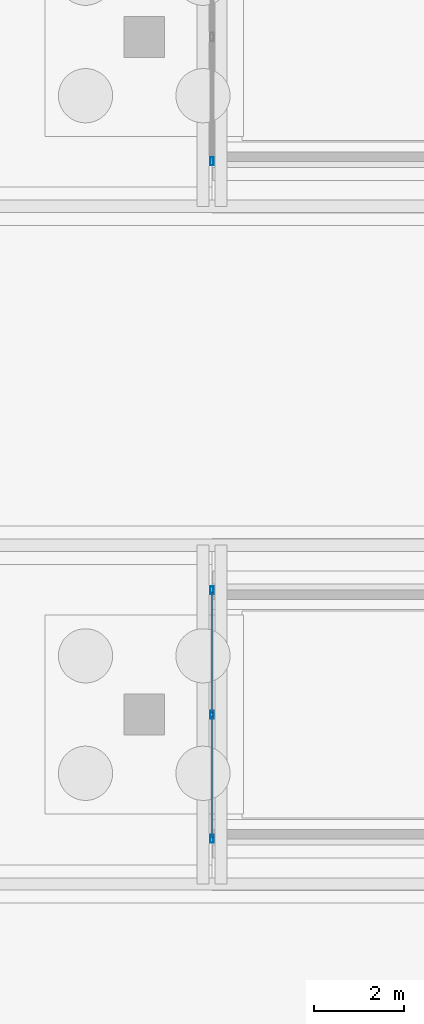
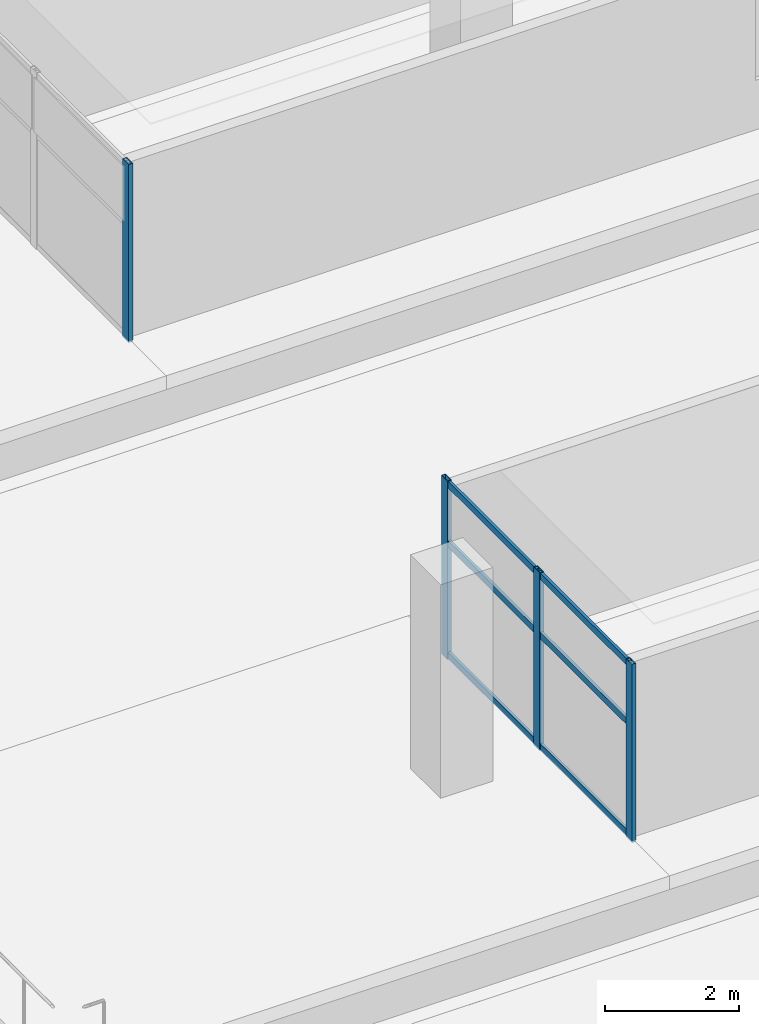
# One storey, part 71 of 160: 10 members, 2 elements without a shape of their own.
"""IFC4 building model written with IfcOpenShell, lengths in metres."""

from ifc_helpers import new_model, si_unit, direction, frame, origin, origin_2d, place, context, subcontext, project, spatial, hollow_rectangle, extrude, material, layer, layer_set, material_profile, profile_set, type_object, element, aggregate, save


model = new_model("IFC4")

# Units and contexts
model_context = context("Model", 3, precision=1e-05, world=origin(), true_north=direction((0.0, 1.0)))
body_context = subcontext(model_context, "Body", "Model", "MODEL_VIEW")
ifc_project = project(units=[si_unit("LENGTHUNIT", "METRE"), si_unit("AREAUNIT", "SQUARE_METRE"), si_unit("VOLUMEUNIT", "CUBIC_METRE"), si_unit("PLANEANGLEUNIT", "RADIAN"), si_unit("MASSUNIT", "GRAM", prefix="KILO")], contexts=[model_context])

# Site, building, storey
site_placement = place(None, origin())
site = spatial("IfcSite", under=ifc_project, at=site_placement, CompositionType="ELEMENT")
building_placement = place(site_placement, origin())
building = spatial("IfcBuilding", under=site, at=building_placement, Name="Marlcrest Central Station", CompositionType="ELEMENT")
storey_placement = place(building_placement, origin())
storey = spatial("IfcBuildingStorey", under=building, at=storey_placement, Name="L00", CompositionType="ELEMENT", Elevation=0.0)

# Curtain wall, members
ifc_material_1 = material(Name="Anodised aluminium and hurricane laminated glass", Category="aluminium")
ifc_layer = layer(ifc_material_1, 0.179931640625, Name="CW-S1")
ifc_layer_set = layer_set([ifc_layer], Name="Anodised aluminium and hurricane laminated glass")
curtain_wall_type = type_object("IfcCurtainWallType", Name="CW-S1", PredefinedType="USERDEFINED", material=ifc_layer_set)
curtain_wall_1_placement = place(storey_placement, origin())
curtain_wall_1 = element("IfcCurtainWall", 1, at=curtain_wall_1_placement, inside=storey, type_object=curtain_wall_type, Name="cw-L00-0175", ObjectType="STICK_CURTAIN_WALL", PredefinedType="USERDEFINED")
ifc_material_2 = material(Name="Anodised aluminium 6063-T6", Category="aluminium")
ifc_material_profile_1 = material_profile(ifc_material_2, hollow_rectangle(XDim=0.070068359375, YDim=0.179931640625, WallThickness=0.0048828125, at=origin_2d()), Name="AA-RHS 180x70x5")
ifc_profile_set_1 = profile_set([ifc_material_profile_1], Name="Anodised aluminium 6063-T6")
member_type_1 = type_object("IfcMemberType", Name="ML-02", PredefinedType="MULLION", material=ifc_profile_set_1)
member_1_placement = place(storey_placement, frame((10.5, 63.25, 0.885009765625), z_axis=(0.0, 0.0, 1.0), x_axis=(1.0, 0.0, 0.0)))
member_1 = element("IfcMember", 2, at=member_1_placement, type_object=member_type_1, Name="cw-L00-0175-ml-0", PredefinedType="MULLION", context=body_context, shape_type="SweptSolid", body=[
    extrude(hollow_rectangle(XDim=0.070068359375, YDim=0.179931640625, WallThickness=0.0048828125, at=origin_2d()), origin(), (0.0, 0.0, 1.0), 3.244873046875),
])
member_2_placement = place(storey_placement, frame((10.5, 66.0, 0.885009765625), z_axis=(0.0, 0.0, 1.0), x_axis=(1.0, 0.0, 0.0)))
member_2 = element("IfcMember", 3, at=member_2_placement, type_object=member_type_1, Name="cw-L00-0175-ml-1", PredefinedType="MULLION", context=body_context, shape_type="SweptSolid", body=[
    extrude(hollow_rectangle(XDim=0.070068359375, YDim=0.179931640625, WallThickness=0.0048828125, at=origin_2d()), origin(), (0.0, 0.0, 1.0), 3.244873046875),
])
member_3_placement = place(storey_placement, frame((10.5, 68.75, 0.885009765625), z_axis=(0.0, 0.0, 1.0), x_axis=(1.0, 0.0, 0.0)))
member_3 = element("IfcMember", 4, at=member_3_placement, type_object=member_type_1, Name="cw-L00-0175-ml-2", PredefinedType="MULLION", context=body_context, shape_type="SweptSolid", body=[
    extrude(hollow_rectangle(XDim=0.070068359375, YDim=0.179931640625, WallThickness=0.0048828125, at=origin_2d()), origin(), (0.0, 0.0, 1.0), 3.244873046875),
])

# Curtain wall, member
curtain_wall_2_placement = place(storey_placement, origin())
curtain_wall_2 = element("IfcCurtainWall", 5, at=curtain_wall_2_placement, inside=storey, type_object=curtain_wall_type, Name="cw-L00-0177", ObjectType="STICK_CURTAIN_WALL", PredefinedType="USERDEFINED")
member_4_placement = place(storey_placement, frame((10.5, 78.25, 0.885009765625), z_axis=(0.0, 0.0, 1.0), x_axis=(1.0, 0.0, 0.0)))
member_4 = element("IfcMember", 6, at=member_4_placement, type_object=member_type_1, Name="cw-L00-0177-ml-0", PredefinedType="MULLION", context=body_context, shape_type="SweptSolid", body=[
    extrude(hollow_rectangle(XDim=0.070068359375, YDim=0.179931640625, WallThickness=0.0048828125, at=origin_2d()), origin(), (0.0, 0.0, 1.0), 3.244873046875),
])
aggregate(curtain_wall_2, [member_4])

# Member
ifc_material_profile_2 = material_profile(ifc_material_2, hollow_rectangle(XDim=0.050048828125, YDim=0.1201171875, WallThickness=0.00390625, at=origin_2d()), Name="AA-RHS 120x50x4")
ifc_profile_set_2 = profile_set([ifc_material_profile_2], Name="Anodised aluminium 6063-T6")
member_type_2 = type_object("IfcMemberType", Name="TR-02", PredefinedType="USERDEFINED", material=ifc_profile_set_2)
member_5_placement = place(storey_placement, frame((10.5, 63.282958984375, 0.955078125), z_axis=(0.0, 1.0, 0.0), x_axis=(-1.0, 0.0, 0.0)))
member_5 = element("IfcMember", 7, at=member_5_placement, type_object=member_type_2, Name="cw-L00-0175-tr-0-sill", ObjectType="TRANSOM", PredefinedType="USERDEFINED", context=body_context, shape_type="SweptSolid", body=[
    extrude(hollow_rectangle(XDim=0.050048828125, YDim=0.1201171875, WallThickness=0.00390625, at=origin_2d()), origin(), (0.0, 0.0, 1.0), 2.68408203125),
])

member_6_placement = place(storey_placement, frame((10.5, 63.282958984375, 2.985107421875), z_axis=(0.0, 1.0, 0.0), x_axis=(-1.0, 0.0, 0.0)))
member_6 = element("IfcMember", 8, at=member_6_placement, type_object=member_type_2, Name="cw-L00-0175-tr-0-mid", ObjectType="TRANSOM", PredefinedType="USERDEFINED", context=body_context, shape_type="SweptSolid", body=[
    extrude(hollow_rectangle(XDim=0.050048828125, YDim=0.1201171875, WallThickness=0.00390625, at=origin_2d()), origin(), (0.0, 0.0, 1.0), 2.68408203125),
])

member_7_placement = place(storey_placement, frame((10.5, 63.282958984375, 4.06005859375), z_axis=(0.0, 1.0, 0.0), x_axis=(-1.0, 0.0, 0.0)))
member_7 = element("IfcMember", 9, at=member_7_placement, type_object=member_type_2, Name="cw-L00-0175-tr-0-head", ObjectType="TRANSOM", PredefinedType="USERDEFINED", context=body_context, shape_type="SweptSolid", body=[
    extrude(hollow_rectangle(XDim=0.050048828125, YDim=0.1201171875, WallThickness=0.00390625, at=origin_2d()), origin(), (0.0, 0.0, 1.0), 2.68408203125),
])

member_8_placement = place(storey_placement, frame((10.5, 66.032958984375, 0.955078125), z_axis=(0.0, 1.0, 0.0), x_axis=(-1.0, 0.0, 0.0)))
member_8 = element("IfcMember", 10, at=member_8_placement, type_object=member_type_2, Name="cw-L00-0175-tr-1-sill", ObjectType="TRANSOM", PredefinedType="USERDEFINED", context=body_context, shape_type="SweptSolid", body=[
    extrude(hollow_rectangle(XDim=0.050048828125, YDim=0.1201171875, WallThickness=0.00390625, at=origin_2d()), origin(), (0.0, 0.0, 1.0), 2.68408203125),
])

member_9_placement = place(storey_placement, frame((10.5, 66.032958984375, 2.985107421875), z_axis=(0.0, 1.0, 0.0), x_axis=(-1.0, 0.0, 0.0)))
member_9 = element("IfcMember", 11, at=member_9_placement, type_object=member_type_2, Name="cw-L00-0175-tr-1-mid", ObjectType="TRANSOM", PredefinedType="USERDEFINED", context=body_context, shape_type="SweptSolid", body=[
    extrude(hollow_rectangle(XDim=0.050048828125, YDim=0.1201171875, WallThickness=0.00390625, at=origin_2d()), origin(), (0.0, 0.0, 1.0), 2.68408203125),
])

member_10_placement = place(storey_placement, frame((10.5, 66.032958984375, 4.06005859375), z_axis=(0.0, 1.0, 0.0), x_axis=(-1.0, 0.0, 0.0)))
member_10 = element("IfcMember", 12, at=member_10_placement, type_object=member_type_2, Name="cw-L00-0175-tr-1-head", ObjectType="TRANSOM", PredefinedType="USERDEFINED", context=body_context, shape_type="SweptSolid", body=[
    extrude(hollow_rectangle(XDim=0.050048828125, YDim=0.1201171875, WallThickness=0.00390625, at=origin_2d()), origin(), (0.0, 0.0, 1.0), 2.68408203125),
])

aggregate(curtain_wall_1, [member_1, member_2, member_3, member_5, member_6, member_7, member_8, member_9, member_10])

save(model, "model.ifc")
